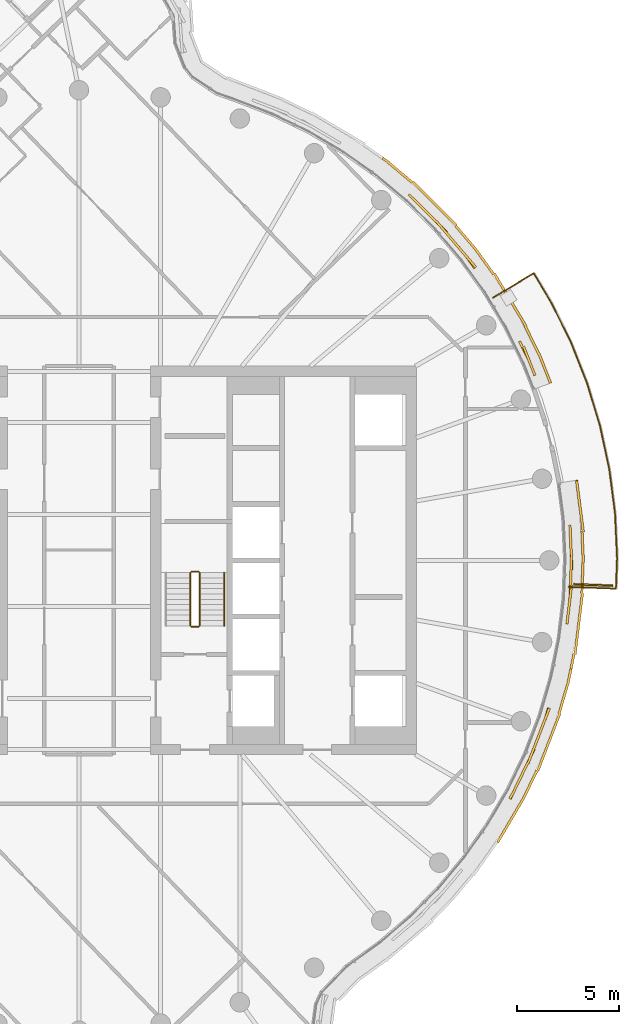
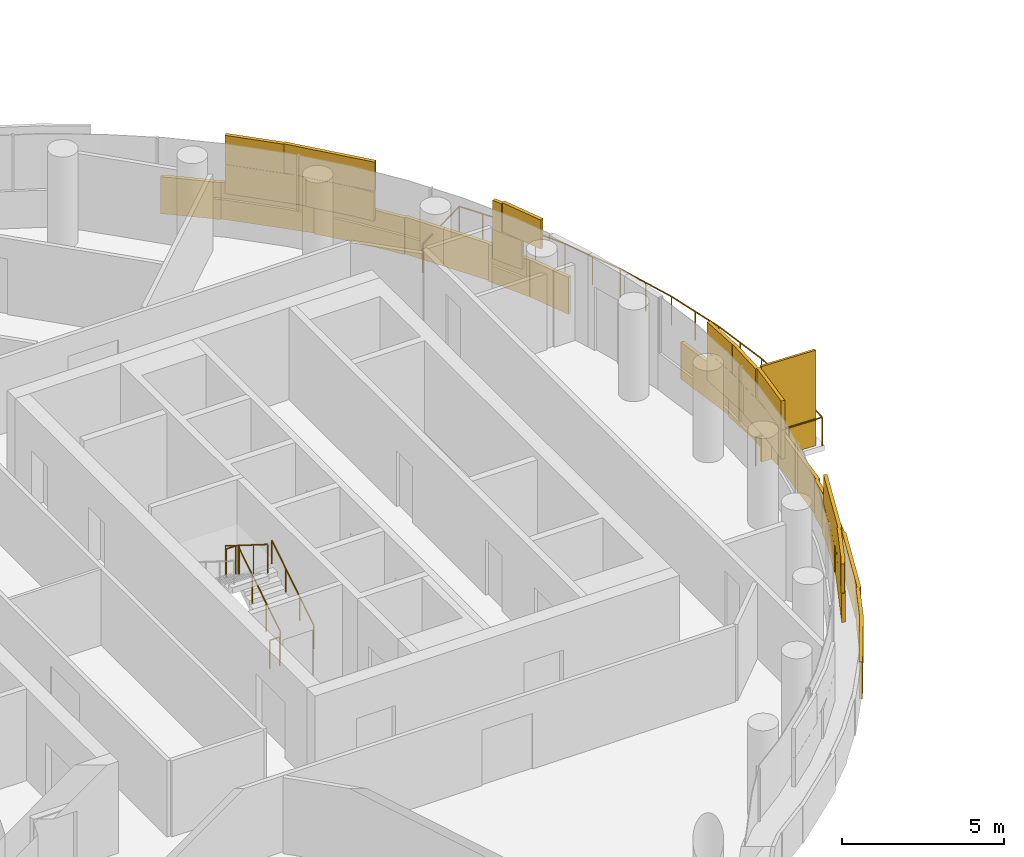
# One storey, part 31 of 34: 6 railings, 4 coverings, 1 shading device.
"""IFC4 building model written with IfcOpenShell, lengths in metres."""

from ifc_helpers import new_model, si_unit, direction, frame, origin, origin_2d, place, context, subcontext, project, spatial, rectangle, circle, extrude, material, layer, layer_set, type_object, element, save


model = new_model("IFC4")

# Units and contexts
model_context = context("Model", 3, precision=1e-05, world=origin(), true_north=direction((0.0, 1.0)))
body_context = subcontext(model_context, "Body", "Model", "MODEL_VIEW")
ifc_project = project(units=[si_unit("LENGTHUNIT", "METRE"), si_unit("AREAUNIT", "SQUARE_METRE"), si_unit("VOLUMEUNIT", "CUBIC_METRE"), si_unit("PLANEANGLEUNIT", "RADIAN"), si_unit("MASSUNIT", "GRAM", prefix="KILO")], contexts=[model_context])

# Site, building, storey
site_placement = place(None, origin())
site = spatial("IfcSite", under=ifc_project, at=site_placement, CompositionType="ELEMENT")
building_placement = place(site_placement, origin())
building = spatial("IfcBuilding", under=site, at=building_placement, Name="Tamarind Cross Interchange Tower", CompositionType="ELEMENT")
storey_placement = place(building_placement, frame((0.0, 0.0, 193.300048828125)))
storey = spatial("IfcBuildingStorey", under=building, at=storey_placement, Name="L48", CompositionType="ELEMENT", Elevation=193.300048828125)

# Railing
ifc_material_1 = material(Name="Stainless steel and laminated glass", Category="steel")
railing_type_1 = type_object("IfcRailingType", Name="Balcony guard", PredefinedType="BALUSTRADE", material=ifc_material_1)
railing_1_placement = place(storey_placement, frame((23.94384765625, -1.296630859375, 0.0)))
element("IfcRailing", 1, at=railing_1_placement, inside=storey, type_object=railing_type_1, Name="Balcony guard 06", PredefinedType="BALUSTRADE", context=body_context, shape_type="SweptSolid", body=[
    extrude(circle(Radius=0.02490234375, at=origin_2d()), frame((0.0, 0.0, 1.0751953125), z_axis=(0.999313680019, -0.037042798585, 0.0), x_axis=(0.037042798585, 0.999313680019, 0.0)), (0.0, 0.0, 1.0), 2.320068359375),
    extrude(circle(Radius=0.02490234375, at=origin_2d()), frame((2.318359375, -0.0859375, 1.0751953125), z_axis=(0.037023725447, 0.999314386844, 0.0), x_axis=(-0.999314386844, 0.037023725447, 0.0)), (0.0, 0.0, 1.0), 1.496826171875),
    extrude(circle(Radius=0.02490234375, at=origin_2d()), frame((2.373779296875, 1.409912109375, 1.0751953125), z_axis=(-0.045570585979, 0.998961121212, 0.0), x_axis=(-0.998961121212, -0.045570585979, 0.0)), (0.0, 0.0, 1.0), 2.175048828125),
    extrude(circle(Radius=0.02490234375, at=origin_2d()), frame((2.274658203125, 3.582763671875, 1.0751953125), z_axis=(-0.127957091824, 0.991779704699, 0.0), x_axis=(-0.991779704699, -0.127957091824, 0.0)), (0.0, 0.0, 1.0), 2.175048828125),
    extrude(circle(Radius=0.02490234375, at=origin_2d()), frame((1.996337890625, 5.739990234375, 1.0751953125), z_axis=(-0.209437106955, 0.977822119933, 0.0), x_axis=(-0.977822119933, -0.209437106955, 0.0)), (0.0, 0.0, 1.0), 2.17529296875),
    extrude(circle(Radius=0.02490234375, at=origin_2d()), frame((1.540771484375, 7.866943359375, 1.0751953125), z_axis=(-0.289468424656, 0.957187563191, 0.0), x_axis=(-0.957187563191, -0.289468424656, 0.0)), (0.0, 0.0, 1.0), 2.175048828125),
    extrude(circle(Radius=0.02490234375, at=origin_2d()), frame((0.9111328125, 9.948974609375, 1.0751953125), z_axis=(-0.367439931593, 0.930047255074, 0.0), x_axis=(-0.930047255074, -0.367439931593, 0.0)), (0.0, 0.0, 1.0), 2.17529296875),
    extrude(circle(Radius=0.02490234375, at=origin_2d()), frame((0.11181640625, 11.97216796875, 1.0751953125), z_axis=(-0.443123395184, 0.896460627491, 0.0), x_axis=(-0.896460627491, -0.443123395184, 0.0)), (0.0, 0.0, 1.0), 2.175048828125),
    extrude(circle(Radius=0.02490234375, at=origin_2d()), frame((-0.85205078125, 13.922119140625, 1.0751953125), z_axis=(-0.515577873647, 0.856842725479, 0.0), x_axis=(-0.856842725479, -0.515577873647, 0.0)), (0.0, 0.0, 1.0), 1.658203125),
    extrude(circle(Radius=0.02490234375, at=origin_2d()), frame((-1.70703125, 15.343017578125, 1.0751953125), z_axis=(-0.856879513456, -0.515516730495, 0.0), x_axis=(0.515516730495, -0.856879513456, 0.0)), (0.0, 0.0, 1.0), 2.320068359375),
    extrude(circle(Radius=0.02001953125, at=origin_2d()), origin(), (0.0, 0.0, 1.0), 1.050048828125),
    extrude(circle(Radius=0.02001953125, at=origin_2d()), frame((1.1591796875, -0.04296875, 0.0)), (0.0, 0.0, 1.0), 1.050048828125),
    extrude(circle(Radius=0.02001953125, at=origin_2d()), frame((2.318359375, -0.0859375, 0.0)), (0.0, 0.0, 1.0), 1.050048828125),
    extrude(circle(Radius=0.02001953125, at=origin_2d()), frame((2.34619140625, 0.662109375, 0.0)), (0.0, 0.0, 1.0), 1.050048828125),
    extrude(circle(Radius=0.02001953125, at=origin_2d()), frame((2.373779296875, 1.409912109375, 0.0)), (0.0, 0.0, 1.0), 1.050048828125),
    extrude(circle(Radius=0.02001953125, at=origin_2d()), frame((2.32421875, 2.496337890625, 0.0)), (0.0, 0.0, 1.0), 1.050048828125),
    extrude(circle(Radius=0.02001953125, at=origin_2d()), frame((2.274658203125, 3.582763671875, 0.0)), (0.0, 0.0, 1.0), 1.050048828125),
    extrude(circle(Radius=0.02001953125, at=origin_2d()), frame((2.135498046875, 4.661376953125, 0.0)), (0.0, 0.0, 1.0), 1.050048828125),
    extrude(circle(Radius=0.02001953125, at=origin_2d()), frame((1.996337890625, 5.739990234375, 0.0)), (0.0, 0.0, 1.0), 1.050048828125),
    extrude(circle(Radius=0.02001953125, at=origin_2d()), frame((1.7685546875, 6.803466796875, 0.0)), (0.0, 0.0, 1.0), 1.050048828125),
    extrude(circle(Radius=0.02001953125, at=origin_2d()), frame((1.540771484375, 7.866943359375, 0.0)), (0.0, 0.0, 1.0), 1.050048828125),
    extrude(circle(Radius=0.02001953125, at=origin_2d()), frame((1.22607421875, 8.907958984375, 0.0)), (0.0, 0.0, 1.0), 1.050048828125),
    extrude(circle(Radius=0.02001953125, at=origin_2d()), frame((0.9111328125, 9.948974609375, 0.0)), (0.0, 0.0, 1.0), 1.050048828125),
    extrude(circle(Radius=0.02001953125, at=origin_2d()), frame((0.511474609375, 10.96044921875, 0.0)), (0.0, 0.0, 1.0), 1.050048828125),
    extrude(circle(Radius=0.02001953125, at=origin_2d()), frame((0.11181640625, 11.97216796875, 0.0)), (0.0, 0.0, 1.0), 1.050048828125),
    extrude(circle(Radius=0.02001953125, at=origin_2d()), frame((-0.3701171875, 12.947265625, 0.0)), (0.0, 0.0, 1.0), 1.050048828125),
    extrude(circle(Radius=0.02001953125, at=origin_2d()), frame((-0.85205078125, 13.922119140625, 0.0)), (0.0, 0.0, 1.0), 1.050048828125),
    extrude(circle(Radius=0.02001953125, at=origin_2d()), frame((-1.279541015625, 14.632568359375, 0.0)), (0.0, 0.0, 1.0), 1.050048828125),
    extrude(circle(Radius=0.02001953125, at=origin_2d()), frame((-1.70703125, 15.343017578125, 0.0)), (0.0, 0.0, 1.0), 1.050048828125),
    extrude(circle(Radius=0.02001953125, at=origin_2d()), frame((-2.701171875, 14.7451171875, 0.0)), (0.0, 0.0, 1.0), 1.050048828125),
    extrude(circle(Radius=0.02001953125, at=origin_2d()), frame((-3.695068359375, 14.14697265625, 0.0)), (0.0, 0.0, 1.0), 1.050048828125),
])

# Shading device
ifc_material_2 = material(Name="Bronze-finish aluminium louvre", Category="aluminium")
ifc_layer_1 = layer(ifc_material_2, 0.080078125)
ifc_layer_set_1 = layer_set([ifc_layer_1], Name="Bronze-finish aluminium louvre")
shading_device_type = type_object("IfcShadingDeviceType", Name="Operable louvre bay", PredefinedType="JALOUSIE", material=ifc_layer_set_1)
shading_device_placement = place(storey_placement, origin())
element("IfcShadingDevice", 2, at=shading_device_placement, inside=storey, type_object=shading_device_type, Name="LVR-L48-BAL06", PredefinedType="JALOUSIE", context=body_context, shape_type="SweptSolid", body=[
    extrude(rectangle(XDim=1.89990234375, YDim=0.080078125, at=origin_2d()), frame((25.148193359375, -1.201171875, 0.0), z_axis=(0.0, 0.0, 1.0), x_axis=(0.999314350871, -0.037024696392, 0.0)), (0.0, 0.0, 1.0), 3.60009765625),
])

# Railings
ifc_material_3 = material(Name="Stair guard")
railing_type_2 = type_object("IfcRailingType", Name="Stair guard", PredefinedType="GUARDRAIL", material=ifc_material_3)
railing_2_placement = place(storey_placement, frame((5.89990234375, -3.199951171875, 0.16357421875)))
element("IfcRailing", 3, at=railing_2_placement, inside=storey, type_object=railing_type_2, Name="L48 ST2 stair guard 1", PredefinedType="GUARDRAIL", context=body_context, shape_type="SweptSolid", body=[
    extrude(circle(Radius=0.02392578125, at=origin_2d()), frame((0.0, 0.0, 1.076171875), z_axis=(0.0, 0.846301844409, 0.532703658848), x_axis=(-1.0, 0.0, 0.0)), (0.0, 0.0, 1.0), 3.072021484375),
    extrude(circle(Radius=0.02099609375, at=origin_2d()), origin(), (0.0, 0.0, 1.0), 1.052001953125),
    extrude(circle(Radius=0.02099609375, at=origin_2d()), frame((0.0, 0.86669921875, 0.54541015625)), (0.0, 0.0, 1.0), 1.052001953125),
    extrude(circle(Radius=0.02099609375, at=origin_2d()), frame((0.0, 1.733154296875, 1.091064453125)), (0.0, 0.0, 1.0), 1.052001953125),
    extrude(circle(Radius=0.02099609375, at=origin_2d()), frame((0.0, 2.599853515625, 1.636474609375)), (0.0, 0.0, 1.0), 1.052001953125),
])
railing_3_placement = place(storey_placement, frame((5.85009765625, -0.550048828125, 1.800048828125)))
element("IfcRailing", 4, at=railing_3_placement, inside=storey, type_object=railing_type_2, Name="L48 ST2 stair guard 2", PredefinedType="GUARDRAIL", context=body_context, shape_type="SweptSolid", body=[
    extrude(circle(Radius=0.02392578125, at=origin_2d()), frame((0.0, 0.0, 1.076171875), z_axis=(-1.0, 0.0, 0.0), x_axis=(0.0, -1.0, 0.0)), (0.0, 0.0, 1.0), 0.35009765625),
    extrude(circle(Radius=0.02099609375, at=origin_2d()), origin(), (0.0, 0.0, 1.0), 1.052001953125),
    extrude(circle(Radius=0.02099609375, at=origin_2d()), frame((-0.35009765625, 0.0, 0.0)), (0.0, 0.0, 1.0), 1.052001953125),
])
railing_4_placement = place(storey_placement, frame((5.449951171875, -0.60009765625, 1.963623046875)))
element("IfcRailing", 5, at=railing_4_placement, inside=storey, type_object=railing_type_2, Name="L48 ST2 stair guard 3", PredefinedType="GUARDRAIL", context=body_context, shape_type="SweptSolid", body=[
    extrude(circle(Radius=0.02392578125, at=origin_2d()), frame((0.0, 0.0, 1.076171875), z_axis=(0.0, -0.846337672412, 0.532646734952), x_axis=(1.0, 0.0, 0.0)), (0.0, 0.0, 1.0), 3.07177734375),
    extrude(circle(Radius=0.02099609375, at=origin_2d()), origin(), (0.0, 0.0, 1.0), 1.052001953125),
    extrude(circle(Radius=0.02099609375, at=origin_2d()), frame((0.0, -0.86669921875, 0.54541015625)), (0.0, 0.0, 1.0), 1.052001953125),
    extrude(circle(Radius=0.02099609375, at=origin_2d()), frame((0.0, -1.733154296875, 1.0908203125)), (0.0, 0.0, 1.0), 1.052001953125),
    extrude(circle(Radius=0.02099609375, at=origin_2d()), frame((0.0, -2.599853515625, 1.63623046875)), (0.0, 0.0, 1.0), 1.052001953125),
])
railing_5_placement = place(storey_placement, frame((5.85009765625, -3.25, 0.0)))
element("IfcRailing", 6, at=railing_5_placement, inside=storey, type_object=railing_type_2, Name="L48 ST2 stair guard 4", PredefinedType="GUARDRAIL", context=body_context, shape_type="SweptSolid", body=[
    extrude(circle(Radius=0.02392578125, at=origin_2d()), frame((0.0, 0.0, 1.076171875), z_axis=(-1.0, 0.0, 0.0), x_axis=(0.0, -1.0, 0.0)), (0.0, 0.0, 1.0), 0.35009765625),
    extrude(circle(Radius=0.02099609375, at=origin_2d()), origin(), (0.0, 0.0, 1.0), 1.052001953125),
    extrude(circle(Radius=0.02099609375, at=origin_2d()), frame((-0.35009765625, 0.0, 0.0)), (0.0, 0.0, 1.0), 1.052001953125),
])
ifc_material_4 = material(Name="Stair handrail")
railing_type_3 = type_object("IfcRailingType", Name="Stair handrail", PredefinedType="HANDRAIL", material=ifc_material_4)
railing_6_placement = place(storey_placement, frame((7.10009765625, -3.199951171875, 0.16357421875)))
element("IfcRailing", 7, at=railing_6_placement, inside=storey, type_object=railing_type_3, Name="L48 ST2 stair handrail 1", PredefinedType="HANDRAIL", context=body_context, shape_type="SweptSolid", body=[
    extrude(circle(Radius=0.02392578125, at=origin_2d()), frame((0.0, 0.0, 0.8759765625), z_axis=(0.0, 0.846301844409, 0.532703658848), x_axis=(-1.0, 0.0, 0.0)), (0.0, 0.0, 1.0), 3.072021484375),
    extrude(circle(Radius=0.02099609375, at=origin_2d()), origin(), (0.0, 0.0, 1.0), 0.851806640625),
    extrude(circle(Radius=0.02099609375, at=origin_2d()), frame((0.0, 0.86669921875, 0.54541015625)), (0.0, 0.0, 1.0), 0.851806640625),
    extrude(circle(Radius=0.02099609375, at=origin_2d()), frame((0.0, 1.733154296875, 1.091064453125)), (0.0, 0.0, 1.0), 0.851806640625),
    extrude(circle(Radius=0.02099609375, at=origin_2d()), frame((0.0, 2.599853515625, 1.636474609375)), (0.0, 0.0, 1.0), 0.851806640625),
])

# Coverings
ifc_material_5 = material(Name="Terracotta", Category="masonry")
ifc_layer_2 = layer(ifc_material_5, 0.1201171875)
ifc_layer_set_2 = layer_set([ifc_layer_2], Name="Terracotta")
covering_type = type_object("IfcCoveringType", Name="Terracotta baguette screen unit", PredefinedType="MOLDING", material=ifc_layer_set_2)
covering_1_placement = place(storey_placement, origin())
element("IfcCovering", 8, at=covering_1_placement, inside=storey, type_object=covering_type, Name="SCR-L48-06-01", PredefinedType="MOLDING", context=body_context, shape_type="SweptSolid", body=[
    extrude(rectangle(XDim=1.21923828125, YDim=0.1201171875, at=origin_2d()), frame((21.353515625, -11.121337890625, 1.40380859375), z_axis=(0.0, 0.0, 1.0), x_axis=(0.435326231914, 0.900272776334, 0.0)), (0.0, 0.0, 1.0), 1.092041015625),
    extrude(rectangle(XDim=1.52001953125, YDim=0.1201171875, at=origin_2d()), frame((21.943359375, -9.90185546875, 1.40380859375), z_axis=(0.0, 0.0, 1.0), x_axis=(0.435326231914, 0.900272776334, 0.0)), (0.0, 0.0, 1.0), 1.092041015625),
    extrude(rectangle(XDim=1.52001953125, YDim=0.1201171875, at=origin_2d()), frame((22.509521484375, -8.513916015625, 1.40380859375), z_axis=(0.0, 0.0, 1.0), x_axis=(0.359495435512, 0.933146843667, 0.0)), (0.0, 0.0, 1.0), 1.092041015625),
    extrude(rectangle(XDim=0.643310546875, YDim=0.1201171875, at=origin_2d()), frame((22.8759765625, -7.5126953125, 1.40380859375), z_axis=(0.0, 0.0, 1.0), x_axis=(0.281208920763, 0.95964657186, 0.0)), (0.0, 0.0, 1.0), 1.092041015625),
    extrude(rectangle(XDim=0.46923828125, YDim=0.1201171875, at=origin_2d()), frame((21.183349609375, -11.455322265625, 2.50390625), z_axis=(0.0, 0.0, 1.0), x_axis=(0.508183308752, 0.861248933065, 0.0)), (0.0, 0.0, 1.0), 1.092041015625),
    extrude(rectangle(XDim=1.52001953125, YDim=0.1201171875, at=origin_2d()), frame((21.61669921875, -10.576904296875, 2.50390625), z_axis=(0.0, 0.0, 1.0), x_axis=(0.435326231914, 0.900272776334, 0.0)), (0.0, 0.0, 1.0), 1.092041015625),
    extrude(rectangle(XDim=1.52001953125, YDim=0.1201171875, at=origin_2d()), frame((22.239990234375, -9.213623046875, 2.50390625), z_axis=(0.0, 0.0, 1.0), x_axis=(0.359495435512, 0.933146843667, 0.0)), (0.0, 0.0, 1.0), 1.092041015625),
    extrude(rectangle(XDim=1.393310546875, YDim=0.1201171875, at=origin_2d()), frame((22.75830078125, -7.868408203125, 2.50390625), z_axis=(0.0, 0.0, 1.0), x_axis=(0.359495435512, 0.933146843667, 0.0)), (0.0, 0.0, 1.0), 1.092041015625),
    extrude(rectangle(XDim=1.018310546875, YDim=0.1201171875, at=origin_2d()), frame((20.735107421875, -13.34423828125, 0.00390625), z_axis=(0.0, 0.0, 1.0), x_axis=(0.508183308752, 0.861248933065, 0.0)), (0.0, 0.0, 1.0), 1.39208984375),
    extrude(rectangle(XDim=1.52001953125, YDim=0.1201171875, at=origin_2d()), frame((21.369873046875, -12.268310546875, 0.00390625), z_axis=(0.0, 0.0, 1.0), x_axis=(0.508183308752, 0.861248933065, 0.0)), (0.0, 0.0, 1.0), 1.39208984375),
    extrude(rectangle(XDim=1.52001953125, YDim=0.1201171875, at=origin_2d()), frame((22.075927734375, -10.9462890625, 0.00390625), z_axis=(0.0, 0.0, 1.0), x_axis=(0.435326231914, 0.900272776334, 0.0)), (0.0, 0.0, 1.0), 1.39208984375),
    extrude(rectangle(XDim=1.52001953125, YDim=0.1201171875, at=origin_2d()), frame((22.7109375, -9.588134765625, 0.00390625), z_axis=(0.0, 0.0, 1.0), x_axis=(0.359495435512, 0.933146843667, 0.0)), (0.0, 0.0, 1.0), 1.39208984375),
    extrude(rectangle(XDim=1.52001953125, YDim=0.1201171875, at=origin_2d()), frame((23.250244140625, -8.188232421875, 0.00390625), z_axis=(0.0, 0.0, 1.0), x_axis=(0.359495435512, 0.933146843667, 0.0)), (0.0, 0.0, 1.0), 1.39208984375),
    extrude(rectangle(XDim=1.52001953125, YDim=0.1201171875, at=origin_2d()), frame((23.695556640625, -6.7568359375, 0.00390625), z_axis=(0.0, 0.0, 1.0), x_axis=(0.281208920763, 0.95964657186, 0.0)), (0.0, 0.0, 1.0), 1.39208984375),
    extrude(rectangle(XDim=0.760009765625, YDim=0.1201171875, at=origin_2d()), frame((23.988037109375, -5.676513671875, 0.00390625), z_axis=(0.0, 0.0, 1.0), x_axis=(0.201001463943, 0.9795909409, 0.0)), (0.0, 0.0, 1.0), 1.39208984375),
])
covering_2_placement = place(storey_placement, origin())
element("IfcCovering", 9, at=covering_2_placement, inside=storey, type_object=covering_type, Name="SCR-L48-06-02", PredefinedType="MOLDING", context=body_context, shape_type="SweptSolid", body=[
    extrude(rectangle(XDim=1.1767578125, YDim=0.1201171875, at=origin_2d()), frame((23.93408203125, -2.534423828125, 1.40380859375), z_axis=(0.0, 0.0, 1.0), x_axis=(0.119420963295, 0.992843710523, 0.0)), (0.0, 0.0, 1.0), 1.092041015625),
    extrude(rectangle(XDim=1.52001953125, YDim=0.1201171875, at=origin_2d()), frame((24.037353515625, -1.206298828125, 1.40380859375), z_axis=(0.0, 0.0, 1.0), x_axis=(0.037024696392, 0.999314350871, 0.0)), (0.0, 0.0, 1.0), 1.092041015625),
    extrude(rectangle(XDim=1.52001953125, YDim=0.1201171875, at=origin_2d()), frame((24.0771484375, 0.292724609375, 1.40380859375), z_axis=(0.0, 0.0, 1.0), x_axis=(-0.045624486728, 0.998958660912, 0.0)), (0.0, 0.0, 1.0), 1.092041015625),
    extrude(rectangle(XDim=0.6865234375, YDim=0.1201171875, at=origin_2d()), frame((24.027587890625, 1.3798828125, 1.40380859375), z_axis=(0.0, 0.0, 1.0), x_axis=(-0.045624486728, 0.998958660912, 0.0)), (0.0, 0.0, 1.0), 1.092041015625),
    extrude(rectangle(XDim=0.4267578125, YDim=0.1201171875, at=origin_2d()), frame((23.889404296875, -2.90673828125, 2.50390625), z_axis=(0.0, 0.0, 1.0), x_axis=(0.119420963295, 0.992843710523, 0.0)), (0.0, 0.0, 1.0), 1.092041015625),
    extrude(rectangle(XDim=1.52001953125, YDim=0.1201171875, at=origin_2d()), frame((24.003662109375, -1.955322265625, 2.50390625), z_axis=(0.0, 0.0, 1.0), x_axis=(0.119420963295, 0.992843710523, 0.0)), (0.0, 0.0, 1.0), 1.092041015625),
    extrude(rectangle(XDim=1.52001953125, YDim=0.1201171875, at=origin_2d()), frame((24.06494140625, -0.456787109375, 2.50390625), z_axis=(0.0, 0.0, 1.0), x_axis=(0.037024696392, 0.999314350871, 0.0)), (0.0, 0.0, 1.0), 1.092041015625),
    extrude(rectangle(XDim=1.4365234375, YDim=0.1201171875, at=origin_2d()), frame((24.044677734375, 1.00537109375, 2.50390625), z_axis=(0.0, 0.0, 1.0), x_axis=(-0.045624486728, 0.998958660912, 0.0)), (0.0, 0.0, 1.0), 1.092041015625),
    extrude(rectangle(XDim=0.760009765625, YDim=0.1201171875, at=origin_2d()), frame((24.140869140625, -4.931884765625, 0.00390625), z_axis=(0.0, 0.0, 1.0), x_axis=(0.201001463943, 0.9795909409, 0.0)), (0.0, 0.0, 1.0), 1.39208984375),
    extrude(rectangle(XDim=1.52001953125, YDim=0.1201171875, at=origin_2d()), frame((24.35595703125, -3.833251953125, 0.00390625), z_axis=(0.0, 0.0, 1.0), x_axis=(0.119420963295, 0.992843710523, 0.0)), (0.0, 0.0, 1.0), 1.39208984375),
    extrude(rectangle(XDim=1.52001953125, YDim=0.1201171875, at=origin_2d()), frame((24.53515625, -2.343994140625, 0.00390625), z_axis=(0.0, 0.0, 1.0), x_axis=(0.119420963295, 0.992843710523, 0.0)), (0.0, 0.0, 1.0), 1.39208984375),
    extrude(rectangle(XDim=1.52001953125, YDim=0.1201171875, at=origin_2d()), frame((24.625, -0.84765625, 0.00390625), z_axis=(0.0, 0.0, 1.0), x_axis=(0.037024696392, 0.999314350871, 0.0)), (0.0, 0.0, 1.0), 1.39208984375),
    extrude(rectangle(XDim=1.52001953125, YDim=0.1201171875, at=origin_2d()), frame((24.635498046875, 0.651123046875, 0.00390625), z_axis=(0.0, 0.0, 1.0), x_axis=(-0.045624486728, 0.998958660912, 0.0)), (0.0, 0.0, 1.0), 1.39208984375),
    extrude(rectangle(XDim=1.52001953125, YDim=0.1201171875, at=origin_2d()), frame((24.56640625, 2.1494140625, 0.00390625), z_axis=(0.0, 0.0, 1.0), x_axis=(-0.127962008342, 0.991779070368, 0.0)), (0.0, 0.0, 1.0), 1.39208984375),
    extrude(rectangle(XDim=1.01904296875, YDim=0.1201171875, at=origin_2d()), frame((24.406494140625, 3.388671875, 0.00390625), z_axis=(0.0, 0.0, 1.0), x_axis=(-0.127962008342, 0.991779070368, 0.0)), (0.0, 0.0, 1.0), 1.39208984375),
])
covering_3_placement = place(storey_placement, origin())
element("IfcCovering", 10, at=covering_3_placement, inside=storey, type_object=covering_type, Name="SCR-L48-06-03", PredefinedType="MOLDING", context=body_context, shape_type="SweptSolid", body=[
    extrude(rectangle(XDim=1.0810546875, YDim=0.1201171875, at=origin_2d()), frame((21.78466796875, 10.2373046875, 1.40380859375), z_axis=(0.0, 0.0, 1.0), x_axis=(-0.443058811505, 0.896492548518, 0.0)), (0.0, 0.0, 1.0), 1.092041015625),
    extrude(rectangle(XDim=1.52001953125, YDim=0.1201171875, at=origin_2d()), frame((22.020751953125, 9.7568359375, 2.50390625), z_axis=(0.0, 0.0, 1.0), x_axis=(-0.367513773146, 0.930018078613, 0.0)), (0.0, 0.0, 1.0), 1.092041015625),
    extrude(rectangle(XDim=0.3310546875, YDim=0.1201171875, at=origin_2d()), frame((21.618408203125, 10.573486328125, 2.50390625), z_axis=(0.0, 0.0, 1.0), x_axis=(-0.443058811505, 0.896492548518, 0.0)), (0.0, 0.0, 1.0), 1.092041015625),
    extrude(rectangle(XDim=0.03076171875, YDim=0.1201171875, at=origin_2d()), frame((24.33935546875, 3.909423828125, 0.00390625), z_axis=(0.0, 0.0, 1.0), x_axis=(-0.127962008342, 0.991779070368, 0.0)), (0.0, 0.0, 1.0), 1.39208984375),
    extrude(rectangle(XDim=0.04296875, YDim=0.1201171875, at=origin_2d()), frame((23.0576171875, 8.694580078125, 0.00390625), z_axis=(0.0, 0.0, 1.0), x_axis=(-0.367513773146, 0.930018078613, 0.0)), (0.0, 0.0, 1.0), 1.39208984375),
    extrude(rectangle(XDim=1.52001953125, YDim=0.1201171875, at=origin_2d()), frame((22.77783203125, 9.40283203125, 0.00390625), z_axis=(0.0, 0.0, 1.0), x_axis=(-0.367513773146, 0.930018078613, 0.0)), (0.0, 0.0, 1.0), 1.39208984375),
    extrude(rectangle(XDim=1.52001953125, YDim=0.1201171875, at=origin_2d()), frame((22.161865234375, 10.769287109375, 0.00390625), z_axis=(0.0, 0.0, 1.0), x_axis=(-0.443058811505, 0.896492548518, 0.0)), (0.0, 0.0, 1.0), 1.39208984375),
    extrude(rectangle(XDim=1.52001953125, YDim=0.1201171875, at=origin_2d()), frame((21.474365234375, 12.101318359375, 0.00390625), z_axis=(0.0, 0.0, 1.0), x_axis=(-0.515577308909, 0.856843065292, 0.0)), (0.0, 0.0, 1.0), 1.39208984375),
    extrude(rectangle(XDim=0.137451171875, YDim=0.1201171875, at=origin_2d()), frame((21.0576171875, 12.79443359375, 0.00390625), z_axis=(0.0, 0.0, 1.0), x_axis=(-0.515577308909, 0.856843065292, 0.0)), (0.0, 0.0, 1.0), 1.39208984375),
])
covering_4_placement = place(storey_placement, origin())
element("IfcCovering", 11, at=covering_4_placement, inside=storey, type_object=covering_type, Name="SCR-L48-06-04", PredefinedType="MOLDING", context=body_context, shape_type="SweptSolid", body=[
    extrude(rectangle(XDim=0.739013671875, YDim=0.1201171875, at=origin_2d()), frame((19.1484375, 14.5908203125, 1.40380859375), z_axis=(0.0, 0.0, 1.0), x_axis=(-0.584573890505, 0.811340475102, 0.0)), (0.0, 0.0, 1.0), 1.092041015625),
    extrude(rectangle(XDim=1.52001953125, YDim=0.1201171875, at=origin_2d()), frame((18.447509765625, 15.4560546875, 1.40380859375), z_axis=(0.0, 0.0, 1.0), x_axis=(-0.64957723968, 0.760295606781, 0.0)), (0.0, 0.0, 1.0), 1.092041015625),
    extrude(rectangle(XDim=1.52001953125, YDim=0.1201171875, at=origin_2d()), frame((17.45654296875, 16.581298828125, 1.40380859375), z_axis=(0.0, 0.0, 1.0), x_axis=(-0.710143317658, 0.704057148523, 0.0)), (0.0, 0.0, 1.0), 1.092041015625),
    extrude(rectangle(XDim=1.12353515625, YDim=0.1201171875, at=origin_2d()), frame((16.528564453125, 17.501220703125, 1.40380859375), z_axis=(0.0, 0.0, 1.0), x_axis=(-0.710143317658, 0.704057148523, 0.0)), (0.0, 0.0, 1.0), 1.092041015625),
    extrude(rectangle(XDim=1.489013671875, YDim=0.1201171875, at=origin_2d()), frame((18.927734375, 14.893798828125, 2.50390625), z_axis=(0.0, 0.0, 1.0), x_axis=(-0.64957723968, 0.760295606781, 0.0)), (0.0, 0.0, 1.0), 1.092041015625),
    extrude(rectangle(XDim=1.52001953125, YDim=0.1201171875, at=origin_2d()), frame((17.960205078125, 16.0263671875, 2.50390625), z_axis=(0.0, 0.0, 1.0), x_axis=(-0.64957723968, 0.760295606781, 0.0)), (0.0, 0.0, 1.0), 1.092041015625),
    extrude(rectangle(XDim=1.52001953125, YDim=0.1201171875, at=origin_2d()), frame((16.923828125, 17.109375, 2.50390625), z_axis=(0.0, 0.0, 1.0), x_axis=(-0.710143317658, 0.704057148523, 0.0)), (0.0, 0.0, 1.0), 1.092041015625),
    extrude(rectangle(XDim=0.37353515625, YDim=0.1201171875, at=origin_2d()), frame((16.26220703125, 17.765380859375, 2.50390625), z_axis=(0.0, 0.0, 1.0), x_axis=(-0.710143317658, 0.704057148523, 0.0)), (0.0, 0.0, 1.0), 1.092041015625),
    extrude(rectangle(XDim=1.382568359375, YDim=0.1201171875, at=origin_2d()), frame((20.665771484375, 13.445556640625, 0.00390625), z_axis=(0.0, 0.0, 1.0), x_axis=(-0.515577308909, 0.856843065292, 0.0)), (0.0, 0.0, 1.0), 1.39208984375),
    extrude(rectangle(XDim=1.52001953125, YDim=0.1201171875, at=origin_2d()), frame((19.839599609375, 14.61376953125, 0.00390625), z_axis=(0.0, 0.0, 1.0), x_axis=(-0.584573890505, 0.811340475102, 0.0)), (0.0, 0.0, 1.0), 1.39208984375),
    extrude(rectangle(XDim=1.52001953125, YDim=0.1201171875, at=origin_2d()), frame((18.91455078125, 15.79296875, 0.00390625), z_axis=(0.0, 0.0, 1.0), x_axis=(-0.64957723968, 0.760295606781, 0.0)), (0.0, 0.0, 1.0), 1.39208984375),
    extrude(rectangle(XDim=1.52001953125, YDim=0.1201171875, at=origin_2d()), frame((17.927978515625, 16.922119140625, 0.00390625), z_axis=(0.0, 0.0, 1.0), x_axis=(-0.710143317658, 0.704057148523, 0.0)), (0.0, 0.0, 1.0), 1.39208984375),
    extrude(rectangle(XDim=1.52001953125, YDim=0.1201171875, at=origin_2d()), frame((16.86279296875, 17.978271484375, 0.00390625), z_axis=(0.0, 0.0, 1.0), x_axis=(-0.710143317658, 0.704057148523, 0.0)), (0.0, 0.0, 1.0), 1.39208984375),
    extrude(rectangle(XDim=1.52001953125, YDim=0.1201171875, at=origin_2d()), frame((15.732666015625, 18.96337890625, 0.00390625), z_axis=(0.0, 0.0, 1.0), x_axis=(-0.765858396687, 0.643009266048, 0.0)), (0.0, 0.0, 1.0), 1.39208984375),
    extrude(rectangle(XDim=0.395751953125, YDim=0.1201171875, at=origin_2d()), frame((15.01123046875, 19.562255859375, 0.00390625), z_axis=(0.0, 0.0, 1.0), x_axis=(-0.816341886298, 0.577568978284, 0.0)), (0.0, 0.0, 1.0), 1.39208984375),
])

save(model, "model.ifc")
